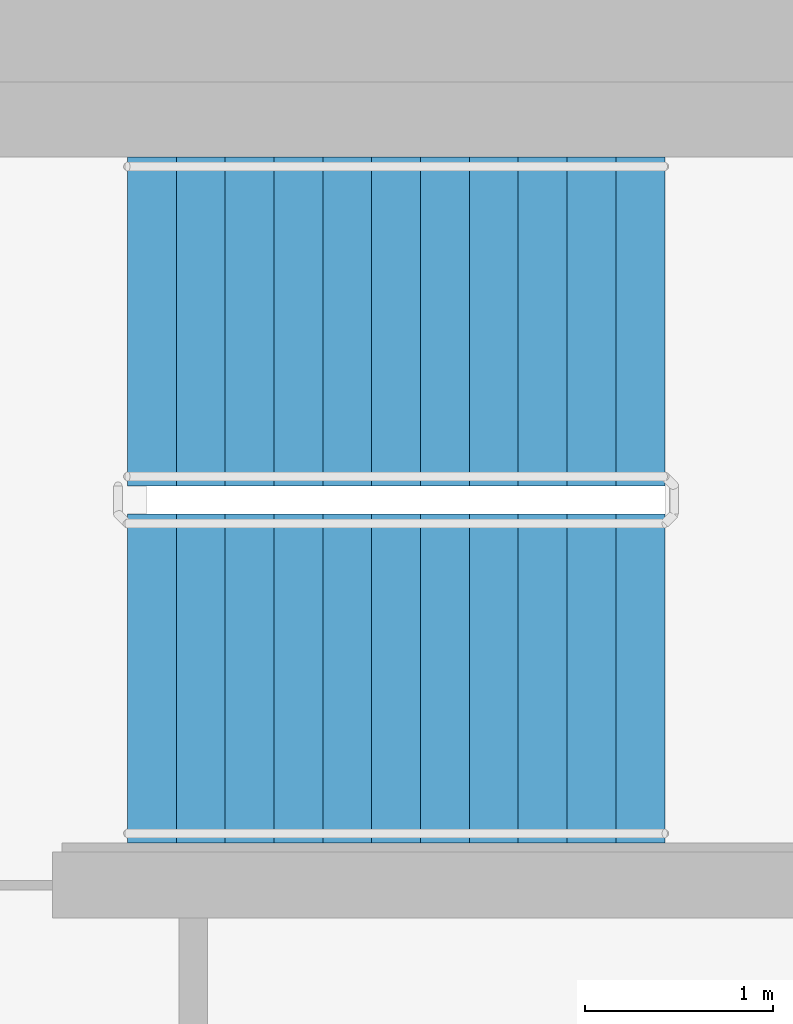
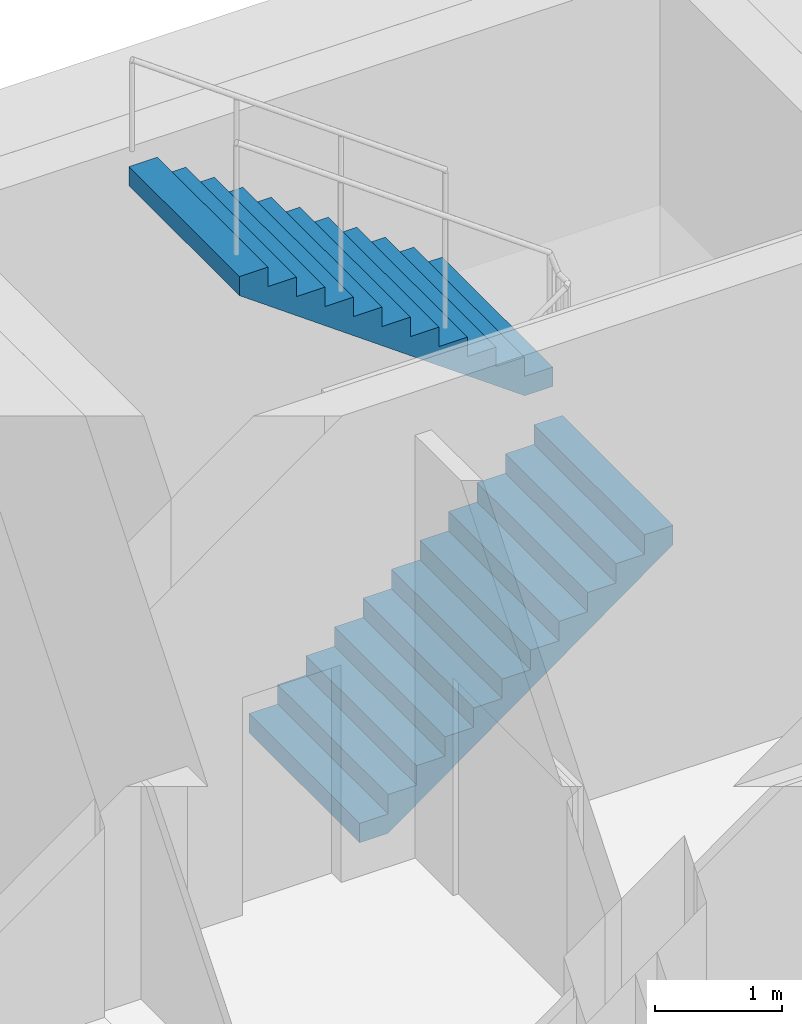
# One storey, part 19 of 26: 2 stair flights, 1 element without a shape of its own.
"""IFC4 building model written with IfcOpenShell, lengths in metres."""

from ifc_helpers import new_model, si_unit, direction, frame, origin, place, context, subcontext, project, spatial, faceted_brep, material, type_object, element, aggregate, save


model = new_model("IFC4")

# Units and contexts
model_context = context("Model", 3, precision=1e-05, world=origin(), true_north=direction((0.0, 1.0)))
body_context = subcontext(model_context, "Body", "Model", "MODEL_VIEW")
ifc_project = project(units=[si_unit("LENGTHUNIT", "METRE"), si_unit("AREAUNIT", "SQUARE_METRE"), si_unit("VOLUMEUNIT", "CUBIC_METRE"), si_unit("PLANEANGLEUNIT", "RADIAN"), si_unit("MASSUNIT", "GRAM", prefix="KILO")], contexts=[model_context])

# Site, building, storey
site_placement = place(None, origin())
site = spatial("IfcSite", under=ifc_project, at=site_placement, CompositionType="ELEMENT")
building_placement = place(site_placement, origin())
building = spatial("IfcBuilding", under=site, at=building_placement, Name="Ipe Terrace Towers", CompositionType="ELEMENT")
storey_placement = place(building_placement, frame((0.0, 0.0, 181.300048828125)))
storey = spatial("IfcBuildingStorey", under=building, at=storey_placement, Name="L50", CompositionType="ELEMENT", Elevation=181.300048828125)

# Stair, stair flights
ifc_material_1 = material(Name="Concrete C30/37", Category="concrete")
stair_type = type_object("IfcStairType", Name="Protected exit stair", PredefinedType="HALF_TURN_STAIR", material=ifc_material_1)
stair_placement = place(storey_placement, origin())
stair = element("IfcStair", 1, at=stair_placement, inside=storey, type_object=stair_type, Name="L50 Exit stair T1-C1", PredefinedType="HALF_TURN_STAIR")
ifc_material_2 = material(Name="Concrete C30/37", Category="concrete")
stair_flight_type = type_object("IfcStairFlightType", Name="Exit stair flight 1750", PredefinedType="STRAIGHT", material=ifc_material_2)
stair_flight_1_placement = place(storey_placement, frame((-26.300048828125, 2.77490234375, 0.0), z_axis=(0.0, 0.0, 1.0), x_axis=(1.0, 0.0, 0.0)))
stair_flight_1 = element("IfcStairFlight", 2, at=stair_flight_1_placement, type_object=stair_flight_type, Name="T1-ST1 flight 1", NumberOfRisers=12, NumberOfTreads=11, PredefinedType="STRAIGHT", RiserHeight=0.1875, TreadLength=0.26, context=body_context, shape_type="Brep", body=[
    faceted_brep([(0.25634765625, -0.875, 0.0), (2.860107421875, -0.875, 1.877685546875), (2.860107421875, -0.875, 2.0625), (2.60009765625, -0.875, 2.0625), (2.60009765625, -0.875, 1.875), (2.340087890625, -0.875, 1.875), (2.340087890625, -0.875, 1.6875), (2.080078125, -0.875, 1.6875), (2.080078125, -0.875, 1.5), (1.820068359375, -0.875, 1.5), (1.820068359375, -0.875, 1.3125), (1.56005859375, -0.875, 1.3125), (1.56005859375, -0.875, 1.125), (1.300048828125, -0.875, 1.125), (1.300048828125, -0.875, 0.9375), (1.0400390625, -0.875, 0.9375), (1.0400390625, -0.875, 0.75), (0.780029296875, -0.875, 0.75), (0.780029296875, -0.875, 0.5625), (0.52001953125, -0.875, 0.5625), (0.52001953125, -0.875, 0.375), (0.260009765625, -0.875, 0.375), (0.260009765625, -0.875, 0.1875), (0.0, -0.875, 0.1875), (0.0, -0.875, 0.0), (0.0, 0.875, 0.0), (0.0, 0.875, 0.1875), (0.260009765625, 0.875, 0.1875), (0.260009765625, 0.875, 0.375), (0.52001953125, 0.875, 0.375), (0.52001953125, 0.875, 0.5625), (0.780029296875, 0.875, 0.5625), (0.780029296875, 0.875, 0.75), (1.0400390625, 0.875, 0.75), (1.0400390625, 0.875, 0.9375), (1.300048828125, 0.875, 0.9375), (1.300048828125, 0.875, 1.125), (1.56005859375, 0.875, 1.125), (1.56005859375, 0.875, 1.3125), (1.820068359375, 0.875, 1.3125), (1.820068359375, 0.875, 1.5), (2.080078125, 0.875, 1.5), (2.080078125, 0.875, 1.6875), (2.340087890625, 0.875, 1.6875), (2.340087890625, 0.875, 1.875), (2.60009765625, 0.875, 1.875), (2.60009765625, 0.875, 2.0625), (2.860107421875, 0.875, 2.0625), (2.860107421875, 0.875, 1.877685546875), (0.25634765625, 0.875, 0.0), (0.0, -0.300048828125, 0.1875), (0.0, -0.1201171875, 0.1875), (0.0, -0.06005859375, 0.1875), (0.0, -0.030029296875, 0.1875), (0.0, -0.010009765625, 0.1875), (0.0, 0.0, 0.1875), (0.0, 0.010009765625, 0.1875), (0.0, 0.030029296875, 0.1875), (0.0, 0.06005859375, 0.1875), (0.0, 0.1201171875, 0.1875), (0.0, 0.300048828125, 0.1875), (0.0, 0.300048828125, 0.0), (0.0, 0.1201171875, 0.0), (0.0, 0.06005859375, 0.0), (0.0, 0.030029296875, 0.0), (0.0, 0.010009765625, 0.0), (0.0, 0.0, 0.0), (0.0, -0.010009765625, 0.0), (0.0, -0.030029296875, 0.0), (0.0, -0.06005859375, 0.0), (0.0, -0.1201171875, 0.0), (0.0, -0.300048828125, 0.0), (0.260009765625, -0.300048828125, 0.1875), (0.260009765625, -0.1201171875, 0.1875), (0.260009765625, -0.06005859375, 0.1875), (0.260009765625, -0.030029296875, 0.1875), (0.260009765625, -0.010009765625, 0.1875), (0.260009765625, 0.0, 0.1875), (0.260009765625, 0.010009765625, 0.1875), (0.260009765625, 0.030029296875, 0.1875), (0.260009765625, 0.06005859375, 0.1875), (0.260009765625, 0.1201171875, 0.1875), (0.260009765625, 0.300048828125, 0.1875), (0.260009765625, -0.300048828125, 0.375), (0.260009765625, -0.1201171875, 0.375), (0.260009765625, -0.06005859375, 0.375), (0.260009765625, -0.030029296875, 0.375), (0.260009765625, -0.010009765625, 0.375), (0.260009765625, 0.0, 0.375), (0.260009765625, 0.010009765625, 0.375), (0.260009765625, 0.030029296875, 0.375), (0.260009765625, 0.06005859375, 0.375), (0.260009765625, 0.1201171875, 0.375), (0.260009765625, 0.300048828125, 0.375), (0.52001953125, -0.300048828125, 0.375), (0.52001953125, -0.1201171875, 0.375), (0.52001953125, -0.06005859375, 0.375), (0.52001953125, -0.030029296875, 0.375), (0.52001953125, -0.010009765625, 0.375), (0.52001953125, 0.0, 0.375), (0.52001953125, 0.010009765625, 0.375), (0.52001953125, 0.030029296875, 0.375), (0.52001953125, 0.06005859375, 0.375), (0.52001953125, 0.1201171875, 0.375), (0.52001953125, 0.300048828125, 0.375), (0.52001953125, -0.300048828125, 0.5625), (0.52001953125, -0.1201171875, 0.5625), (0.52001953125, -0.06005859375, 0.5625), (0.52001953125, -0.030029296875, 0.5625), (0.52001953125, -0.010009765625, 0.5625), (0.52001953125, 0.0, 0.5625), (0.52001953125, 0.010009765625, 0.5625), (0.52001953125, 0.030029296875, 0.5625), (0.52001953125, 0.06005859375, 0.5625), (0.52001953125, 0.1201171875, 0.5625), (0.52001953125, 0.300048828125, 0.5625), (0.780029296875, -0.300048828125, 0.5625), (0.780029296875, -0.1201171875, 0.5625), (0.780029296875, -0.06005859375, 0.5625), (0.780029296875, -0.030029296875, 0.5625), (0.780029296875, -0.010009765625, 0.5625), (0.780029296875, 0.0, 0.5625), (0.780029296875, 0.010009765625, 0.5625), (0.780029296875, 0.030029296875, 0.5625), (0.780029296875, 0.06005859375, 0.5625), (0.780029296875, 0.1201171875, 0.5625), (0.780029296875, 0.300048828125, 0.5625), (0.780029296875, -0.300048828125, 0.75), (0.780029296875, -0.1201171875, 0.75), (0.780029296875, -0.06005859375, 0.75), (0.780029296875, -0.030029296875, 0.75), (0.780029296875, -0.010009765625, 0.75), (0.780029296875, 0.0, 0.75), (0.780029296875, 0.010009765625, 0.75), (0.780029296875, 0.030029296875, 0.75), (0.780029296875, 0.06005859375, 0.75), (0.780029296875, 0.1201171875, 0.75), (0.780029296875, 0.300048828125, 0.75), (1.0400390625, -0.300048828125, 0.75), (1.0400390625, -0.1201171875, 0.75), (1.0400390625, -0.06005859375, 0.75), (1.0400390625, -0.030029296875, 0.75), (1.0400390625, -0.010009765625, 0.75), (1.0400390625, 0.0, 0.75), (1.0400390625, 0.010009765625, 0.75), (1.0400390625, 0.030029296875, 0.75), (1.0400390625, 0.06005859375, 0.75), (1.0400390625, 0.1201171875, 0.75), (1.0400390625, 0.300048828125, 0.75), (1.0400390625, -0.300048828125, 0.9375), (1.0400390625, -0.1201171875, 0.9375), (1.0400390625, -0.06005859375, 0.9375), (1.0400390625, -0.030029296875, 0.9375), (1.0400390625, -0.010009765625, 0.9375), (1.0400390625, 0.0, 0.9375), (1.0400390625, 0.010009765625, 0.9375), (1.0400390625, 0.030029296875, 0.9375), (1.0400390625, 0.06005859375, 0.9375), (1.0400390625, 0.1201171875, 0.9375), (1.0400390625, 0.300048828125, 0.9375), (1.300048828125, -0.300048828125, 0.9375), (1.300048828125, -0.1201171875, 0.9375), (1.300048828125, -0.06005859375, 0.9375), (1.300048828125, -0.030029296875, 0.9375), (1.300048828125, -0.010009765625, 0.9375), (1.300048828125, 0.0, 0.9375), (1.300048828125, 0.010009765625, 0.9375), (1.300048828125, 0.030029296875, 0.9375), (1.300048828125, 0.06005859375, 0.9375), (1.300048828125, 0.1201171875, 0.9375), (1.300048828125, 0.300048828125, 0.9375), (1.300048828125, -0.300048828125, 1.125), (1.300048828125, -0.1201171875, 1.125), (1.300048828125, -0.06005859375, 1.125), (1.300048828125, -0.030029296875, 1.125), (1.300048828125, -0.010009765625, 1.125), (1.300048828125, 0.0, 1.125), (1.300048828125, 0.010009765625, 1.125), (1.300048828125, 0.030029296875, 1.125), (1.300048828125, 0.06005859375, 1.125), (1.300048828125, 0.1201171875, 1.125), (1.300048828125, 0.300048828125, 1.125), (1.56005859375, -0.300048828125, 1.125), (1.56005859375, -0.1201171875, 1.125), (1.56005859375, -0.06005859375, 1.125), (1.56005859375, -0.030029296875, 1.125), (1.56005859375, -0.010009765625, 1.125), (1.56005859375, 0.0, 1.125), (1.56005859375, 0.010009765625, 1.125), (1.56005859375, 0.030029296875, 1.125), (1.56005859375, 0.06005859375, 1.125), (1.56005859375, 0.1201171875, 1.125), (1.56005859375, 0.300048828125, 1.125), (1.56005859375, -0.300048828125, 1.3125), (1.56005859375, -0.1201171875, 1.3125), (1.56005859375, -0.06005859375, 1.3125), (1.56005859375, -0.030029296875, 1.3125), (1.56005859375, -0.010009765625, 1.3125), (1.56005859375, 0.0, 1.3125), (1.56005859375, 0.010009765625, 1.3125), (1.56005859375, 0.030029296875, 1.3125), (1.56005859375, 0.06005859375, 1.3125), (1.56005859375, 0.1201171875, 1.3125), (1.56005859375, 0.300048828125, 1.3125), (1.820068359375, -0.300048828125, 1.3125), (1.820068359375, -0.1201171875, 1.3125), (1.820068359375, -0.06005859375, 1.3125), (1.820068359375, -0.030029296875, 1.3125), (1.820068359375, -0.010009765625, 1.3125), (1.820068359375, 0.0, 1.3125), (1.820068359375, 0.010009765625, 1.3125), (1.820068359375, 0.030029296875, 1.3125), (1.820068359375, 0.06005859375, 1.3125), (1.820068359375, 0.1201171875, 1.3125), (1.820068359375, 0.300048828125, 1.3125), (1.820068359375, -0.300048828125, 1.5), (1.820068359375, -0.1201171875, 1.5), (1.820068359375, -0.06005859375, 1.5), (1.820068359375, -0.030029296875, 1.5), (1.820068359375, -0.010009765625, 1.5), (1.820068359375, 0.0, 1.5), (1.820068359375, 0.010009765625, 1.5), (1.820068359375, 0.030029296875, 1.5), (1.820068359375, 0.06005859375, 1.5), (1.820068359375, 0.1201171875, 1.5), (1.820068359375, 0.300048828125, 1.5), (2.080078125, -0.300048828125, 1.5), (2.080078125, -0.1201171875, 1.5), (2.080078125, -0.06005859375, 1.5), (2.080078125, -0.030029296875, 1.5), (2.080078125, -0.010009765625, 1.5), (2.080078125, 0.0, 1.5), (2.080078125, 0.010009765625, 1.5), (2.080078125, 0.030029296875, 1.5), (2.080078125, 0.06005859375, 1.5), (2.080078125, 0.1201171875, 1.5), (2.080078125, 0.300048828125, 1.5), (2.080078125, -0.300048828125, 1.6875), (2.080078125, -0.1201171875, 1.6875), (2.080078125, -0.06005859375, 1.6875), (2.080078125, -0.030029296875, 1.6875), (2.080078125, -0.010009765625, 1.6875), (2.080078125, 0.0, 1.6875), (2.080078125, 0.010009765625, 1.6875), (2.080078125, 0.030029296875, 1.6875), (2.080078125, 0.06005859375, 1.6875), (2.080078125, 0.1201171875, 1.6875), (2.080078125, 0.300048828125, 1.6875), (2.340087890625, -0.300048828125, 1.6875), (2.340087890625, -0.1201171875, 1.6875), (2.340087890625, -0.06005859375, 1.6875), (2.340087890625, -0.030029296875, 1.6875), (2.340087890625, -0.010009765625, 1.6875), (2.340087890625, 0.0, 1.6875), (2.340087890625, 0.010009765625, 1.6875), (2.340087890625, 0.030029296875, 1.6875), (2.340087890625, 0.06005859375, 1.6875), (2.340087890625, 0.1201171875, 1.6875), (2.340087890625, 0.300048828125, 1.6875), (2.340087890625, -0.300048828125, 1.875), (2.340087890625, -0.1201171875, 1.875), (2.340087890625, -0.06005859375, 1.875), (2.340087890625, -0.030029296875, 1.875), (2.340087890625, -0.010009765625, 1.875), (2.340087890625, 0.0, 1.875), (2.340087890625, 0.010009765625, 1.875), (2.340087890625, 0.030029296875, 1.875), (2.340087890625, 0.06005859375, 1.875), (2.340087890625, 0.1201171875, 1.875), (2.340087890625, 0.300048828125, 1.875), (2.60009765625, -0.300048828125, 1.875), (2.60009765625, -0.1201171875, 1.875), (2.60009765625, -0.06005859375, 1.875), (2.60009765625, -0.030029296875, 1.875), (2.60009765625, -0.010009765625, 1.875), (2.60009765625, 0.0, 1.875), (2.60009765625, 0.010009765625, 1.875), (2.60009765625, 0.030029296875, 1.875), (2.60009765625, 0.06005859375, 1.875), (2.60009765625, 0.1201171875, 1.875), (2.60009765625, 0.300048828125, 1.875), (2.60009765625, -0.300048828125, 2.0625), (2.60009765625, -0.1201171875, 2.0625), (2.60009765625, -0.06005859375, 2.0625), (2.60009765625, -0.030029296875, 2.0625), (2.60009765625, -0.010009765625, 2.0625), (2.60009765625, 0.0, 2.0625), (2.60009765625, 0.010009765625, 2.0625), (2.60009765625, 0.030029296875, 2.0625), (2.60009765625, 0.06005859375, 2.0625), (2.60009765625, 0.1201171875, 2.0625), (2.60009765625, 0.300048828125, 2.0625), (2.860107421875, -0.300048828125, 2.0625), (2.860107421875, -0.1201171875, 2.0625), (2.860107421875, -0.06005859375, 2.0625), (2.860107421875, -0.030029296875, 2.0625), (2.860107421875, -0.010009765625, 2.0625), (2.860107421875, 0.0, 2.0625), (2.860107421875, 0.010009765625, 2.0625), (2.860107421875, 0.030029296875, 2.0625), (2.860107421875, 0.06005859375, 2.0625), (2.860107421875, 0.1201171875, 2.0625), (2.860107421875, 0.300048828125, 2.0625), (2.860107421875, -0.300048828125, 1.877685546875), (2.860107421875, -0.1201171875, 1.877685546875), (2.860107421875, -0.06005859375, 1.877685546875), (2.860107421875, -0.030029296875, 1.877685546875), (2.860107421875, -0.010009765625, 1.877685546875), (2.860107421875, 0.0, 1.877685546875), (2.860107421875, 0.010009765625, 1.877685546875), (2.860107421875, 0.030029296875, 1.877685546875), (2.860107421875, 0.06005859375, 1.877685546875), (2.860107421875, 0.1201171875, 1.877685546875), (2.860107421875, 0.300048828125, 1.877685546875), (0.25634765625, -0.300048828125, 0.0), (0.25634765625, -0.1201171875, 0.0), (0.25634765625, -0.06005859375, 0.0), (0.25634765625, -0.030029296875, 0.0), (0.25634765625, -0.010009765625, 0.0), (0.25634765625, 0.0, 0.0), (0.25634765625, 0.010009765625, 0.0), (0.25634765625, 0.030029296875, 0.0), (0.25634765625, 0.06005859375, 0.0), (0.25634765625, 0.1201171875, 0.0), (0.25634765625, 0.300048828125, 0.0)], [[[0, 1, 2, 3, 4, 5, 6, 7, 8, 9, 10, 11, 12, 13, 14, 15, 16, 17, 18, 19, 20, 21, 22, 23, 24]], [[25, 26, 27, 28, 29, 30, 31, 32, 33, 34, 35, 36, 37, 38, 39, 40, 41, 42, 43, 44, 45, 46, 47, 48, 49]], [[23, 50, 51, 52, 53, 54, 55, 56, 57, 58, 59, 60, 26, 25, 61, 62, 63, 64, 65, 66, 67, 68, 69, 70, 71, 24]], [[22, 72, 73, 74, 75, 76, 77, 78, 79, 80, 81, 82, 27, 26, 60, 59, 58, 57, 56, 55, 54, 53, 52, 51, 50, 23]], [[21, 83, 84, 85, 86, 87, 88, 89, 90, 91, 92, 93, 28, 27, 82, 81, 80, 79, 78, 77, 76, 75, 74, 73, 72, 22]], [[20, 94, 95, 96, 97, 98, 99, 100, 101, 102, 103, 104, 29, 28, 93, 92, 91, 90, 89, 88, 87, 86, 85, 84, 83, 21]], [[19, 105, 106, 107, 108, 109, 110, 111, 112, 113, 114, 115, 30, 29, 104, 103, 102, 101, 100, 99, 98, 97, 96, 95, 94, 20]], [[18, 116, 117, 118, 119, 120, 121, 122, 123, 124, 125, 126, 31, 30, 115, 114, 113, 112, 111, 110, 109, 108, 107, 106, 105, 19]], [[17, 127, 128, 129, 130, 131, 132, 133, 134, 135, 136, 137, 32, 31, 126, 125, 124, 123, 122, 121, 120, 119, 118, 117, 116, 18]], [[16, 138, 139, 140, 141, 142, 143, 144, 145, 146, 147, 148, 33, 32, 137, 136, 135, 134, 133, 132, 131, 130, 129, 128, 127, 17]], [[15, 149, 150, 151, 152, 153, 154, 155, 156, 157, 158, 159, 34, 33, 148, 147, 146, 145, 144, 143, 142, 141, 140, 139, 138, 16]], [[14, 160, 161, 162, 163, 164, 165, 166, 167, 168, 169, 170, 35, 34, 159, 158, 157, 156, 155, 154, 153, 152, 151, 150, 149, 15]], [[13, 171, 172, 173, 174, 175, 176, 177, 178, 179, 180, 181, 36, 35, 170, 169, 168, 167, 166, 165, 164, 163, 162, 161, 160, 14]], [[12, 182, 183, 184, 185, 186, 187, 188, 189, 190, 191, 192, 37, 36, 181, 180, 179, 178, 177, 176, 175, 174, 173, 172, 171, 13]], [[11, 193, 194, 195, 196, 197, 198, 199, 200, 201, 202, 203, 38, 37, 192, 191, 190, 189, 188, 187, 186, 185, 184, 183, 182, 12]], [[10, 204, 205, 206, 207, 208, 209, 210, 211, 212, 213, 214, 39, 38, 203, 202, 201, 200, 199, 198, 197, 196, 195, 194, 193, 11]], [[9, 215, 216, 217, 218, 219, 220, 221, 222, 223, 224, 225, 40, 39, 214, 213, 212, 211, 210, 209, 208, 207, 206, 205, 204, 10]], [[8, 226, 227, 228, 229, 230, 231, 232, 233, 234, 235, 236, 41, 40, 225, 224, 223, 222, 221, 220, 219, 218, 217, 216, 215, 9]], [[7, 237, 238, 239, 240, 241, 242, 243, 244, 245, 246, 247, 42, 41, 236, 235, 234, 233, 232, 231, 230, 229, 228, 227, 226, 8]], [[6, 248, 249, 250, 251, 252, 253, 254, 255, 256, 257, 258, 43, 42, 247, 246, 245, 244, 243, 242, 241, 240, 239, 238, 237, 7]], [[5, 259, 260, 261, 262, 263, 264, 265, 266, 267, 268, 269, 44, 43, 258, 257, 256, 255, 254, 253, 252, 251, 250, 249, 248, 6]], [[4, 270, 271, 272, 273, 274, 275, 276, 277, 278, 279, 280, 45, 44, 269, 268, 267, 266, 265, 264, 263, 262, 261, 260, 259, 5]], [[3, 281, 282, 283, 284, 285, 286, 287, 288, 289, 290, 291, 46, 45, 280, 279, 278, 277, 276, 275, 274, 273, 272, 271, 270, 4]], [[2, 292, 293, 294, 295, 296, 297, 298, 299, 300, 301, 302, 47, 46, 291, 290, 289, 288, 287, 286, 285, 284, 283, 282, 281, 3]], [[1, 303, 304, 305, 306, 307, 308, 309, 310, 311, 312, 313, 48, 47, 302, 301, 300, 299, 298, 297, 296, 295, 294, 293, 292, 2]], [[0, 314, 315, 316, 317, 318, 319, 320, 321, 322, 323, 324, 49, 48, 313, 312, 311, 310, 309, 308, 307, 306, 305, 304, 303, 1]], [[24, 71, 70, 69, 68, 67, 66, 65, 64, 63, 62, 61, 25, 49, 324, 323, 322, 321, 320, 319, 318, 317, 316, 315, 314, 0]]]),
])
stair_flight_2_placement = place(storey_placement, frame((-23.43994140625, 4.675048828125, 2.25), z_axis=(0.0, 0.0, 1.0), x_axis=(-1.0, 0.0, 0.0)))
stair_flight_2 = element("IfcStairFlight", 3, at=stair_flight_2_placement, type_object=stair_flight_type, Name="T1-ST1 flight 2", NumberOfRisers=12, NumberOfTreads=11, PredefinedType="STRAIGHT", RiserHeight=0.1875, TreadLength=0.26, context=body_context, shape_type="Brep", body=[
    faceted_brep([(0.25634765625, -0.875, 0.0), (2.860107421875, -0.875, 1.877685546875), (2.860107421875, -0.875, 2.0625), (2.60009765625, -0.875, 2.0625), (2.60009765625, -0.875, 1.875), (2.340087890625, -0.875, 1.875), (2.340087890625, -0.875, 1.6875), (2.080078125, -0.875, 1.6875), (2.080078125, -0.875, 1.5), (1.820068359375, -0.875, 1.5), (1.820068359375, -0.875, 1.3125), (1.56005859375, -0.875, 1.3125), (1.56005859375, -0.875, 1.125), (1.300048828125, -0.875, 1.125), (1.300048828125, -0.875, 0.9375), (1.0400390625, -0.875, 0.9375), (1.0400390625, -0.875, 0.75), (0.780029296875, -0.875, 0.75), (0.780029296875, -0.875, 0.5625), (0.52001953125, -0.875, 0.5625), (0.52001953125, -0.875, 0.375), (0.260009765625, -0.875, 0.375), (0.260009765625, -0.875, 0.1875), (0.0, -0.875, 0.1875), (0.0, -0.875, 0.0), (0.0, 0.875, 0.0), (0.0, 0.875, 0.1875), (0.260009765625, 0.875, 0.1875), (0.260009765625, 0.875, 0.375), (0.52001953125, 0.875, 0.375), (0.52001953125, 0.875, 0.5625), (0.780029296875, 0.875, 0.5625), (0.780029296875, 0.875, 0.75), (1.0400390625, 0.875, 0.75), (1.0400390625, 0.875, 0.9375), (1.300048828125, 0.875, 0.9375), (1.300048828125, 0.875, 1.125), (1.56005859375, 0.875, 1.125), (1.56005859375, 0.875, 1.3125), (1.820068359375, 0.875, 1.3125), (1.820068359375, 0.875, 1.5), (2.080078125, 0.875, 1.5), (2.080078125, 0.875, 1.6875), (2.340087890625, 0.875, 1.6875), (2.340087890625, 0.875, 1.875), (2.60009765625, 0.875, 1.875), (2.60009765625, 0.875, 2.0625), (2.860107421875, 0.875, 2.0625), (2.860107421875, 0.875, 1.877685546875), (0.25634765625, 0.875, 0.0), (0.0, -0.300048828125, 0.1875), (0.0, -0.1201171875, 0.1875), (0.0, -0.06005859375, 0.1875), (0.0, -0.030029296875, 0.1875), (0.0, -0.010009765625, 0.1875), (0.0, 0.0, 0.1875), (0.0, 0.010009765625, 0.1875), (0.0, 0.030029296875, 0.1875), (0.0, 0.06005859375, 0.1875), (0.0, 0.1201171875, 0.1875), (0.0, 0.300048828125, 0.1875), (0.0, 0.300048828125, 0.0), (0.0, 0.1201171875, 0.0), (0.0, 0.06005859375, 0.0), (0.0, 0.030029296875, 0.0), (0.0, 0.010009765625, 0.0), (0.0, 0.0, 0.0), (0.0, -0.010009765625, 0.0), (0.0, -0.030029296875, 0.0), (0.0, -0.06005859375, 0.0), (0.0, -0.1201171875, 0.0), (0.0, -0.300048828125, 0.0), (0.260009765625, -0.300048828125, 0.1875), (0.260009765625, -0.1201171875, 0.1875), (0.260009765625, -0.06005859375, 0.1875), (0.260009765625, -0.030029296875, 0.1875), (0.260009765625, -0.010009765625, 0.1875), (0.260009765625, 0.0, 0.1875), (0.260009765625, 0.010009765625, 0.1875), (0.260009765625, 0.030029296875, 0.1875), (0.260009765625, 0.06005859375, 0.1875), (0.260009765625, 0.1201171875, 0.1875), (0.260009765625, 0.300048828125, 0.1875), (0.260009765625, -0.300048828125, 0.375), (0.260009765625, -0.1201171875, 0.375), (0.260009765625, -0.06005859375, 0.375), (0.260009765625, -0.030029296875, 0.375), (0.260009765625, -0.010009765625, 0.375), (0.260009765625, 0.0, 0.375), (0.260009765625, 0.010009765625, 0.375), (0.260009765625, 0.030029296875, 0.375), (0.260009765625, 0.06005859375, 0.375), (0.260009765625, 0.1201171875, 0.375), (0.260009765625, 0.300048828125, 0.375), (0.52001953125, -0.300048828125, 0.375), (0.52001953125, -0.1201171875, 0.375), (0.52001953125, -0.06005859375, 0.375), (0.52001953125, -0.030029296875, 0.375), (0.52001953125, -0.010009765625, 0.375), (0.52001953125, 0.0, 0.375), (0.52001953125, 0.010009765625, 0.375), (0.52001953125, 0.030029296875, 0.375), (0.52001953125, 0.06005859375, 0.375), (0.52001953125, 0.1201171875, 0.375), (0.52001953125, 0.300048828125, 0.375), (0.52001953125, -0.300048828125, 0.5625), (0.52001953125, -0.1201171875, 0.5625), (0.52001953125, -0.06005859375, 0.5625), (0.52001953125, -0.030029296875, 0.5625), (0.52001953125, -0.010009765625, 0.5625), (0.52001953125, 0.0, 0.5625), (0.52001953125, 0.010009765625, 0.5625), (0.52001953125, 0.030029296875, 0.5625), (0.52001953125, 0.06005859375, 0.5625), (0.52001953125, 0.1201171875, 0.5625), (0.52001953125, 0.300048828125, 0.5625), (0.780029296875, -0.300048828125, 0.5625), (0.780029296875, -0.1201171875, 0.5625), (0.780029296875, -0.06005859375, 0.5625), (0.780029296875, -0.030029296875, 0.5625), (0.780029296875, -0.010009765625, 0.5625), (0.780029296875, 0.0, 0.5625), (0.780029296875, 0.010009765625, 0.5625), (0.780029296875, 0.030029296875, 0.5625), (0.780029296875, 0.06005859375, 0.5625), (0.780029296875, 0.1201171875, 0.5625), (0.780029296875, 0.300048828125, 0.5625), (0.780029296875, -0.300048828125, 0.75), (0.780029296875, -0.1201171875, 0.75), (0.780029296875, -0.06005859375, 0.75), (0.780029296875, -0.030029296875, 0.75), (0.780029296875, -0.010009765625, 0.75), (0.780029296875, 0.0, 0.75), (0.780029296875, 0.010009765625, 0.75), (0.780029296875, 0.030029296875, 0.75), (0.780029296875, 0.06005859375, 0.75), (0.780029296875, 0.1201171875, 0.75), (0.780029296875, 0.300048828125, 0.75), (1.0400390625, -0.300048828125, 0.75), (1.0400390625, -0.1201171875, 0.75), (1.0400390625, -0.06005859375, 0.75), (1.0400390625, -0.030029296875, 0.75), (1.0400390625, -0.010009765625, 0.75), (1.0400390625, 0.0, 0.75), (1.0400390625, 0.010009765625, 0.75), (1.0400390625, 0.030029296875, 0.75), (1.0400390625, 0.06005859375, 0.75), (1.0400390625, 0.1201171875, 0.75), (1.0400390625, 0.300048828125, 0.75), (1.0400390625, -0.300048828125, 0.9375), (1.0400390625, -0.1201171875, 0.9375), (1.0400390625, -0.06005859375, 0.9375), (1.0400390625, -0.030029296875, 0.9375), (1.0400390625, -0.010009765625, 0.9375), (1.0400390625, 0.0, 0.9375), (1.0400390625, 0.010009765625, 0.9375), (1.0400390625, 0.030029296875, 0.9375), (1.0400390625, 0.06005859375, 0.9375), (1.0400390625, 0.1201171875, 0.9375), (1.0400390625, 0.300048828125, 0.9375), (1.300048828125, -0.300048828125, 0.9375), (1.300048828125, -0.1201171875, 0.9375), (1.300048828125, -0.06005859375, 0.9375), (1.300048828125, -0.030029296875, 0.9375), (1.300048828125, -0.010009765625, 0.9375), (1.300048828125, 0.0, 0.9375), (1.300048828125, 0.010009765625, 0.9375), (1.300048828125, 0.030029296875, 0.9375), (1.300048828125, 0.06005859375, 0.9375), (1.300048828125, 0.1201171875, 0.9375), (1.300048828125, 0.300048828125, 0.9375), (1.300048828125, -0.300048828125, 1.125), (1.300048828125, -0.1201171875, 1.125), (1.300048828125, -0.06005859375, 1.125), (1.300048828125, -0.030029296875, 1.125), (1.300048828125, -0.010009765625, 1.125), (1.300048828125, 0.0, 1.125), (1.300048828125, 0.010009765625, 1.125), (1.300048828125, 0.030029296875, 1.125), (1.300048828125, 0.06005859375, 1.125), (1.300048828125, 0.1201171875, 1.125), (1.300048828125, 0.300048828125, 1.125), (1.56005859375, -0.300048828125, 1.125), (1.56005859375, -0.1201171875, 1.125), (1.56005859375, -0.06005859375, 1.125), (1.56005859375, -0.030029296875, 1.125), (1.56005859375, -0.010009765625, 1.125), (1.56005859375, 0.0, 1.125), (1.56005859375, 0.010009765625, 1.125), (1.56005859375, 0.030029296875, 1.125), (1.56005859375, 0.06005859375, 1.125), (1.56005859375, 0.1201171875, 1.125), (1.56005859375, 0.300048828125, 1.125), (1.56005859375, -0.300048828125, 1.3125), (1.56005859375, -0.1201171875, 1.3125), (1.56005859375, -0.06005859375, 1.3125), (1.56005859375, -0.030029296875, 1.3125), (1.56005859375, -0.010009765625, 1.3125), (1.56005859375, 0.0, 1.3125), (1.56005859375, 0.010009765625, 1.3125), (1.56005859375, 0.030029296875, 1.3125), (1.56005859375, 0.06005859375, 1.3125), (1.56005859375, 0.1201171875, 1.3125), (1.56005859375, 0.300048828125, 1.3125), (1.820068359375, -0.300048828125, 1.3125), (1.820068359375, -0.1201171875, 1.3125), (1.820068359375, -0.06005859375, 1.3125), (1.820068359375, -0.030029296875, 1.3125), (1.820068359375, -0.010009765625, 1.3125), (1.820068359375, 0.0, 1.3125), (1.820068359375, 0.010009765625, 1.3125), (1.820068359375, 0.030029296875, 1.3125), (1.820068359375, 0.06005859375, 1.3125), (1.820068359375, 0.1201171875, 1.3125), (1.820068359375, 0.300048828125, 1.3125), (1.820068359375, -0.300048828125, 1.5), (1.820068359375, -0.1201171875, 1.5), (1.820068359375, -0.06005859375, 1.5), (1.820068359375, -0.030029296875, 1.5), (1.820068359375, -0.010009765625, 1.5), (1.820068359375, 0.0, 1.5), (1.820068359375, 0.010009765625, 1.5), (1.820068359375, 0.030029296875, 1.5), (1.820068359375, 0.06005859375, 1.5), (1.820068359375, 0.1201171875, 1.5), (1.820068359375, 0.300048828125, 1.5), (2.080078125, -0.300048828125, 1.5), (2.080078125, -0.1201171875, 1.5), (2.080078125, -0.06005859375, 1.5), (2.080078125, -0.030029296875, 1.5), (2.080078125, -0.010009765625, 1.5), (2.080078125, 0.0, 1.5), (2.080078125, 0.010009765625, 1.5), (2.080078125, 0.030029296875, 1.5), (2.080078125, 0.06005859375, 1.5), (2.080078125, 0.1201171875, 1.5), (2.080078125, 0.300048828125, 1.5), (2.080078125, -0.300048828125, 1.6875), (2.080078125, -0.1201171875, 1.6875), (2.080078125, -0.06005859375, 1.6875), (2.080078125, -0.030029296875, 1.6875), (2.080078125, -0.010009765625, 1.6875), (2.080078125, 0.0, 1.6875), (2.080078125, 0.010009765625, 1.6875), (2.080078125, 0.030029296875, 1.6875), (2.080078125, 0.06005859375, 1.6875), (2.080078125, 0.1201171875, 1.6875), (2.080078125, 0.300048828125, 1.6875), (2.340087890625, -0.300048828125, 1.6875), (2.340087890625, -0.1201171875, 1.6875), (2.340087890625, -0.06005859375, 1.6875), (2.340087890625, -0.030029296875, 1.6875), (2.340087890625, -0.010009765625, 1.6875), (2.340087890625, 0.0, 1.6875), (2.340087890625, 0.010009765625, 1.6875), (2.340087890625, 0.030029296875, 1.6875), (2.340087890625, 0.06005859375, 1.6875), (2.340087890625, 0.1201171875, 1.6875), (2.340087890625, 0.300048828125, 1.6875), (2.340087890625, -0.300048828125, 1.875), (2.340087890625, -0.1201171875, 1.875), (2.340087890625, -0.06005859375, 1.875), (2.340087890625, -0.030029296875, 1.875), (2.340087890625, -0.010009765625, 1.875), (2.340087890625, 0.0, 1.875), (2.340087890625, 0.010009765625, 1.875), (2.340087890625, 0.030029296875, 1.875), (2.340087890625, 0.06005859375, 1.875), (2.340087890625, 0.1201171875, 1.875), (2.340087890625, 0.300048828125, 1.875), (2.60009765625, -0.300048828125, 1.875), (2.60009765625, -0.1201171875, 1.875), (2.60009765625, -0.06005859375, 1.875), (2.60009765625, -0.030029296875, 1.875), (2.60009765625, -0.010009765625, 1.875), (2.60009765625, 0.0, 1.875), (2.60009765625, 0.010009765625, 1.875), (2.60009765625, 0.030029296875, 1.875), (2.60009765625, 0.06005859375, 1.875), (2.60009765625, 0.1201171875, 1.875), (2.60009765625, 0.300048828125, 1.875), (2.60009765625, -0.300048828125, 2.0625), (2.60009765625, -0.1201171875, 2.0625), (2.60009765625, -0.06005859375, 2.0625), (2.60009765625, -0.030029296875, 2.0625), (2.60009765625, -0.010009765625, 2.0625), (2.60009765625, 0.0, 2.0625), (2.60009765625, 0.010009765625, 2.0625), (2.60009765625, 0.030029296875, 2.0625), (2.60009765625, 0.06005859375, 2.0625), (2.60009765625, 0.1201171875, 2.0625), (2.60009765625, 0.300048828125, 2.0625), (2.860107421875, -0.300048828125, 2.0625), (2.860107421875, -0.1201171875, 2.0625), (2.860107421875, -0.06005859375, 2.0625), (2.860107421875, -0.030029296875, 2.0625), (2.860107421875, -0.010009765625, 2.0625), (2.860107421875, 0.0, 2.0625), (2.860107421875, 0.010009765625, 2.0625), (2.860107421875, 0.030029296875, 2.0625), (2.860107421875, 0.06005859375, 2.0625), (2.860107421875, 0.1201171875, 2.0625), (2.860107421875, 0.300048828125, 2.0625), (2.860107421875, -0.300048828125, 1.877685546875), (2.860107421875, -0.1201171875, 1.877685546875), (2.860107421875, -0.06005859375, 1.877685546875), (2.860107421875, -0.030029296875, 1.877685546875), (2.860107421875, -0.010009765625, 1.877685546875), (2.860107421875, 0.0, 1.877685546875), (2.860107421875, 0.010009765625, 1.877685546875), (2.860107421875, 0.030029296875, 1.877685546875), (2.860107421875, 0.06005859375, 1.877685546875), (2.860107421875, 0.1201171875, 1.877685546875), (2.860107421875, 0.300048828125, 1.877685546875), (0.25634765625, -0.300048828125, 0.0), (0.25634765625, -0.1201171875, 0.0), (0.25634765625, -0.06005859375, 0.0), (0.25634765625, -0.030029296875, 0.0), (0.25634765625, -0.010009765625, 0.0), (0.25634765625, 0.0, 0.0), (0.25634765625, 0.010009765625, 0.0), (0.25634765625, 0.030029296875, 0.0), (0.25634765625, 0.06005859375, 0.0), (0.25634765625, 0.1201171875, 0.0), (0.25634765625, 0.300048828125, 0.0)], [[[0, 1, 2, 3, 4, 5, 6, 7, 8, 9, 10, 11, 12, 13, 14, 15, 16, 17, 18, 19, 20, 21, 22, 23, 24]], [[25, 26, 27, 28, 29, 30, 31, 32, 33, 34, 35, 36, 37, 38, 39, 40, 41, 42, 43, 44, 45, 46, 47, 48, 49]], [[23, 50, 51, 52, 53, 54, 55, 56, 57, 58, 59, 60, 26, 25, 61, 62, 63, 64, 65, 66, 67, 68, 69, 70, 71, 24]], [[22, 72, 73, 74, 75, 76, 77, 78, 79, 80, 81, 82, 27, 26, 60, 59, 58, 57, 56, 55, 54, 53, 52, 51, 50, 23]], [[21, 83, 84, 85, 86, 87, 88, 89, 90, 91, 92, 93, 28, 27, 82, 81, 80, 79, 78, 77, 76, 75, 74, 73, 72, 22]], [[20, 94, 95, 96, 97, 98, 99, 100, 101, 102, 103, 104, 29, 28, 93, 92, 91, 90, 89, 88, 87, 86, 85, 84, 83, 21]], [[19, 105, 106, 107, 108, 109, 110, 111, 112, 113, 114, 115, 30, 29, 104, 103, 102, 101, 100, 99, 98, 97, 96, 95, 94, 20]], [[18, 116, 117, 118, 119, 120, 121, 122, 123, 124, 125, 126, 31, 30, 115, 114, 113, 112, 111, 110, 109, 108, 107, 106, 105, 19]], [[17, 127, 128, 129, 130, 131, 132, 133, 134, 135, 136, 137, 32, 31, 126, 125, 124, 123, 122, 121, 120, 119, 118, 117, 116, 18]], [[16, 138, 139, 140, 141, 142, 143, 144, 145, 146, 147, 148, 33, 32, 137, 136, 135, 134, 133, 132, 131, 130, 129, 128, 127, 17]], [[15, 149, 150, 151, 152, 153, 154, 155, 156, 157, 158, 159, 34, 33, 148, 147, 146, 145, 144, 143, 142, 141, 140, 139, 138, 16]], [[14, 160, 161, 162, 163, 164, 165, 166, 167, 168, 169, 170, 35, 34, 159, 158, 157, 156, 155, 154, 153, 152, 151, 150, 149, 15]], [[13, 171, 172, 173, 174, 175, 176, 177, 178, 179, 180, 181, 36, 35, 170, 169, 168, 167, 166, 165, 164, 163, 162, 161, 160, 14]], [[12, 182, 183, 184, 185, 186, 187, 188, 189, 190, 191, 192, 37, 36, 181, 180, 179, 178, 177, 176, 175, 174, 173, 172, 171, 13]], [[11, 193, 194, 195, 196, 197, 198, 199, 200, 201, 202, 203, 38, 37, 192, 191, 190, 189, 188, 187, 186, 185, 184, 183, 182, 12]], [[10, 204, 205, 206, 207, 208, 209, 210, 211, 212, 213, 214, 39, 38, 203, 202, 201, 200, 199, 198, 197, 196, 195, 194, 193, 11]], [[9, 215, 216, 217, 218, 219, 220, 221, 222, 223, 224, 225, 40, 39, 214, 213, 212, 211, 210, 209, 208, 207, 206, 205, 204, 10]], [[8, 226, 227, 228, 229, 230, 231, 232, 233, 234, 235, 236, 41, 40, 225, 224, 223, 222, 221, 220, 219, 218, 217, 216, 215, 9]], [[7, 237, 238, 239, 240, 241, 242, 243, 244, 245, 246, 247, 42, 41, 236, 235, 234, 233, 232, 231, 230, 229, 228, 227, 226, 8]], [[6, 248, 249, 250, 251, 252, 253, 254, 255, 256, 257, 258, 43, 42, 247, 246, 245, 244, 243, 242, 241, 240, 239, 238, 237, 7]], [[5, 259, 260, 261, 262, 263, 264, 265, 266, 267, 268, 269, 44, 43, 258, 257, 256, 255, 254, 253, 252, 251, 250, 249, 248, 6]], [[4, 270, 271, 272, 273, 274, 275, 276, 277, 278, 279, 280, 45, 44, 269, 268, 267, 266, 265, 264, 263, 262, 261, 260, 259, 5]], [[3, 281, 282, 283, 284, 285, 286, 287, 288, 289, 290, 291, 46, 45, 280, 279, 278, 277, 276, 275, 274, 273, 272, 271, 270, 4]], [[2, 292, 293, 294, 295, 296, 297, 298, 299, 300, 301, 302, 47, 46, 291, 290, 289, 288, 287, 286, 285, 284, 283, 282, 281, 3]], [[1, 303, 304, 305, 306, 307, 308, 309, 310, 311, 312, 313, 48, 47, 302, 301, 300, 299, 298, 297, 296, 295, 294, 293, 292, 2]], [[0, 314, 315, 316, 317, 318, 319, 320, 321, 322, 323, 324, 49, 48, 313, 312, 311, 310, 309, 308, 307, 306, 305, 304, 303, 1]], [[24, 71, 70, 69, 68, 67, 66, 65, 64, 63, 62, 61, 25, 49, 324, 323, 322, 321, 320, 319, 318, 317, 316, 315, 314, 0]]]),
])
aggregate(stair, [stair_flight_1, stair_flight_2])

save(model, "model.ifc")
